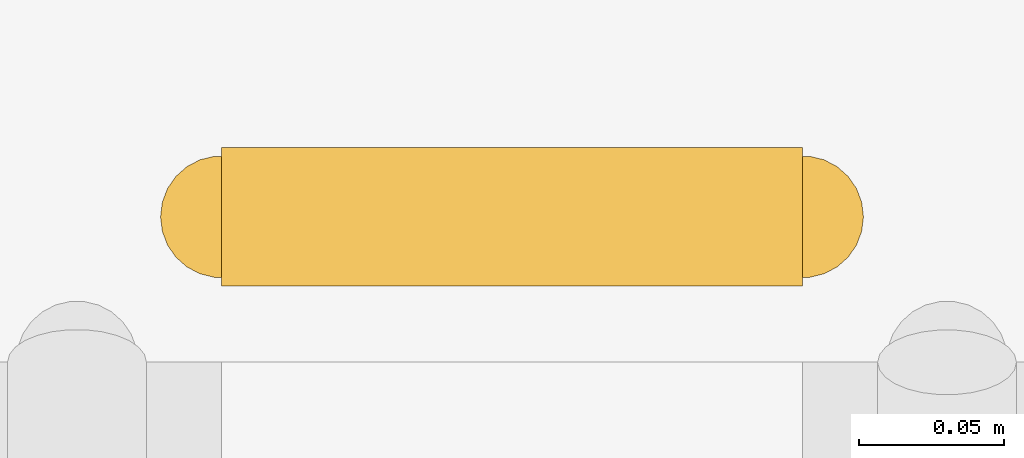
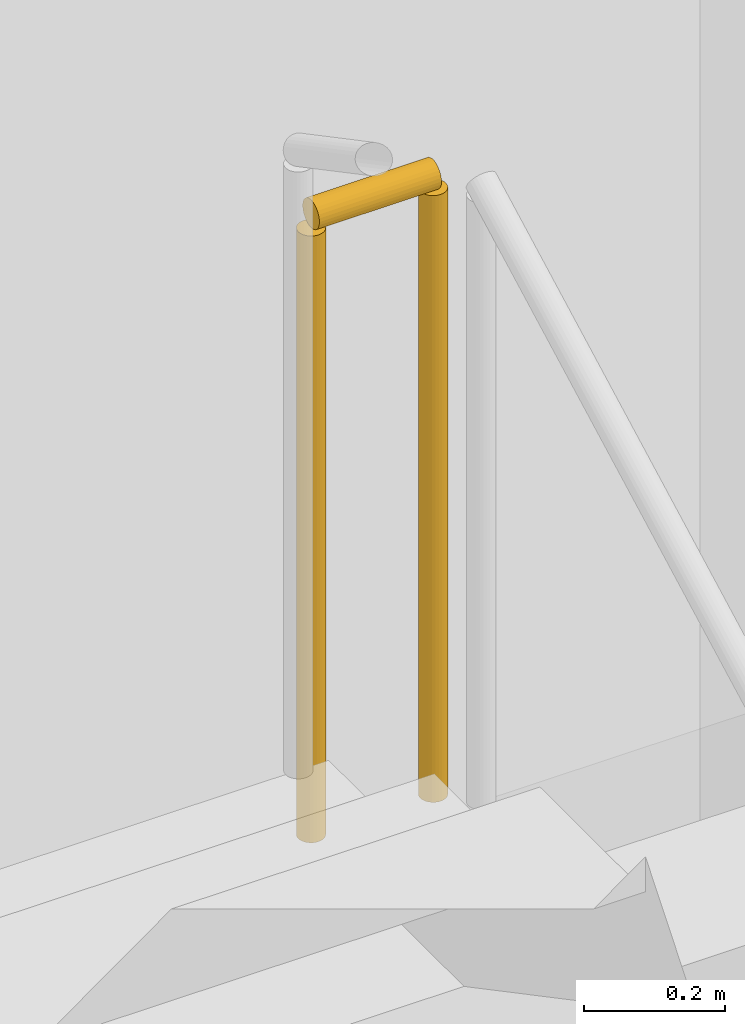
# One storey, part 41 of 45: 1 railing.
"""IFC4 building model written with IfcOpenShell, lengths in metres."""

from ifc_helpers import new_model, si_unit, direction, frame, origin, origin_2d, place, context, subcontext, project, spatial, circle, extrude, material, type_object, element, save


model = new_model("IFC4")

# Units and contexts
model_context = context("Model", 3, precision=1e-05, world=origin(), true_north=direction((0.0, 1.0)))
body_context = subcontext(model_context, "Body", "Model", "MODEL_VIEW")
ifc_project = project(units=[si_unit("LENGTHUNIT", "METRE"), si_unit("AREAUNIT", "SQUARE_METRE"), si_unit("VOLUMEUNIT", "CUBIC_METRE"), si_unit("PLANEANGLEUNIT", "RADIAN"), si_unit("MASSUNIT", "GRAM", prefix="KILO")], contexts=[model_context])

# Site, building, storey
site_placement = place(None, origin())
site = spatial("IfcSite", under=ifc_project, at=site_placement, CompositionType="ELEMENT")
building_placement = place(site_placement, origin())
building = spatial("IfcBuilding", under=site, at=building_placement, Name="Kenh Van Central Station", CompositionType="ELEMENT")
storey_placement = place(building_placement, frame((0.0, 0.0, -5.39990234375)))
storey = spatial("IfcBuildingStorey", under=building, at=storey_placement, Name="B1", CompositionType="ELEMENT", Elevation=-5.39990234375)

# Railing
ifc_material = material(Name="Champagne anodised aluminium", Category="aluminium")
railing_type = type_object("IfcRailingType", Name="RAIL-CORE-GRD110", PredefinedType="GUARDRAIL", material=ifc_material)
railing_placement = place(storey_placement, frame((34.85009765625, 57.10009765625, 2.699951171875)))
element("IfcRailing", 1, at=railing_placement, inside=storey, type_object=railing_type, Name="B1 ST-02 stair guard 2", PredefinedType="GUARDRAIL", context=body_context, shape_type="SweptSolid", body=[
    extrude(circle(Radius=0.02392578125, at=origin_2d()), frame((0.0, 0.0, 1.076171875), z_axis=(-1.0, 0.0, 0.0), x_axis=(0.0, -1.0, 0.0)), (0.0, 0.0, 1.0), 0.2001953125),
    extrude(circle(Radius=0.02099609375, at=origin_2d()), origin(), (0.0, 0.0, 1.0), 1.052001953125),
    extrude(circle(Radius=0.02099609375, at=origin_2d()), frame((-0.2001953125, 0.0, 0.0)), (0.0, 0.0, 1.0), 1.052001953125),
])

save(model, "model.ifc")
